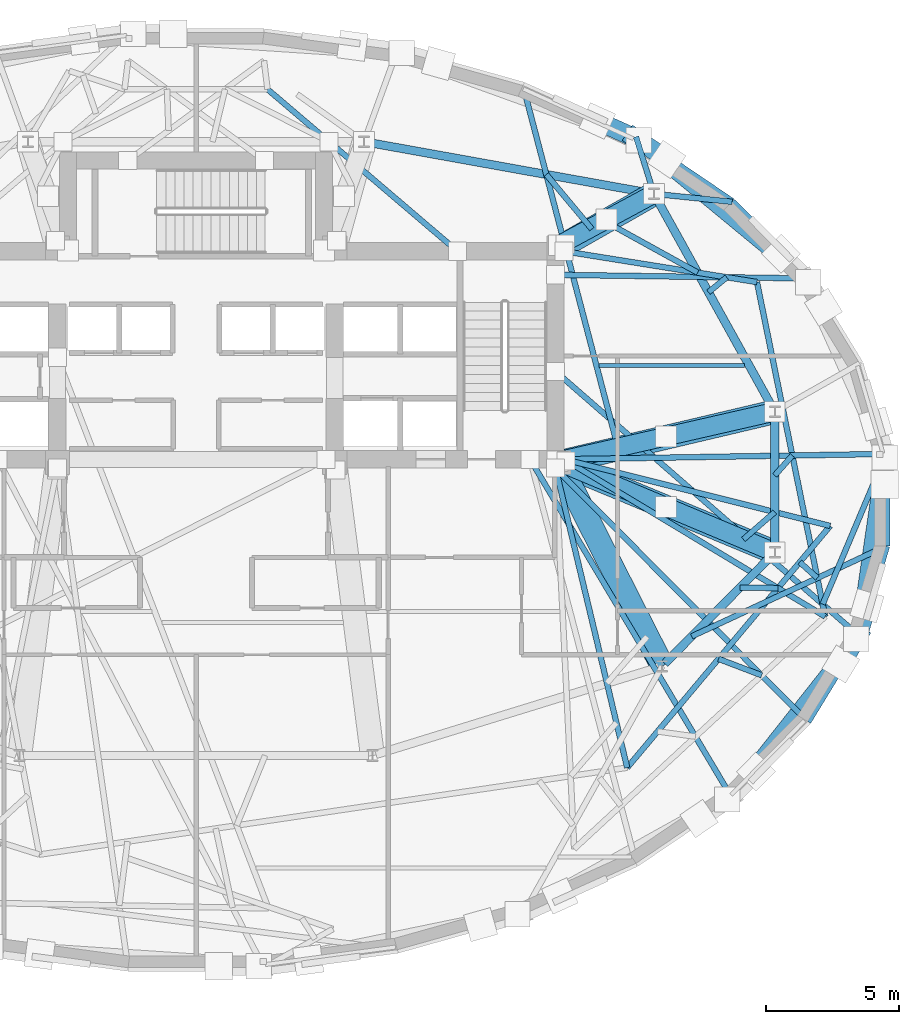
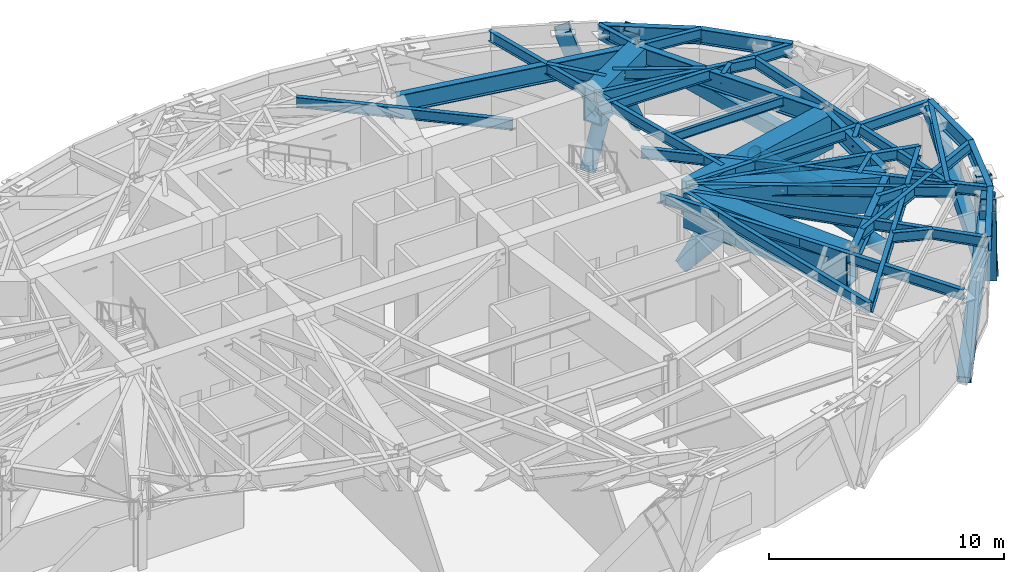
# One storey, part 4 of 13: 39 beams, 13 members.
"""IFC4 building model written with IfcOpenShell, lengths in metres."""

from ifc_helpers import new_model, si_unit, direction, frame, origin, origin_2d, place, context, subcontext, project, spatial, hollow_rectangle, hollow_circle, i_section, extrude, material, material_profile, profile_set, type_object, element, save


model = new_model("IFC4")

# Units and contexts
model_context = context("Model", 3, precision=1e-05, world=origin(), true_north=direction((0.0, 1.0)))
body_context = subcontext(model_context, "Body", "Model", "MODEL_VIEW")
ifc_project = project(units=[si_unit("LENGTHUNIT", "METRE"), si_unit("AREAUNIT", "SQUARE_METRE"), si_unit("VOLUMEUNIT", "CUBIC_METRE"), si_unit("PLANEANGLEUNIT", "RADIAN"), si_unit("MASSUNIT", "GRAM", prefix="KILO")], contexts=[model_context])

# Site, building, storey
site_placement = place(None, origin())
site = spatial("IfcSite", under=ifc_project, at=site_placement, CompositionType="ELEMENT")
building_placement = place(site_placement, origin())
building = spatial("IfcBuilding", under=site, at=building_placement, Name="Keldmark Tower", CompositionType="ELEMENT")
storey_placement = place(building_placement, frame((0.0, 0.0, 135.10009765625)))
storey = spatial("IfcBuildingStorey", under=building, at=storey_placement, Name="L36", CompositionType="ELEMENT", Elevation=135.10009765625)

# Members
ifc_material_1 = material(Name="Steel ASTM A572 Grade 50", Category="steel")
ifc_material_profile_1 = material_profile(ifc_material_1, hollow_rectangle(XDim=0.60009765625, YDim=0.60009765625, WallThickness=0.034912109375, at=origin_2d()), Name="BOX600X600X35")
ifc_profile_set_1 = profile_set([ifc_material_profile_1], Name="Steel ASTM A572 Grade 50")
member_type_1 = type_object("IfcMemberType", Name="Belt Truss Diagonal Brace BOX600", PredefinedType="BRACE", material=ifc_profile_set_1)
member_1_placement = place(storey_placement, frame((22.763916015625, 8.392578125, -0.5400390625), z_axis=(-0.671604255957, 0.554100077788, 0.491854477642), x_axis=(-0.636401110122, -0.771358300037, 0.0)))
element("IfcMember", 1, at=member_1_placement, inside=storey, type_object=member_type_1, Name="L36 Perimeter Belt Truss Brace 02", PredefinedType="BRACE", context=body_context, shape_type="SweptSolid", body=[
    extrude(hollow_rectangle(XDim=0.60009765625, YDim=0.60009765625, WallThickness=0.034912109375, at=origin_2d()), origin(), (0.0, 0.0, 1.0), 9.189697265625),
])
member_2_placement = place(storey_placement, frame((20.165283203125, -11.02490234375, -0.5400390625), z_axis=(0.528598004612, 0.670030415284, 0.521194198082), x_axis=(-0.785095494684, 0.61937473651, 0.0)))
element("IfcMember", 2, at=member_2_placement, inside=storey, type_object=member_type_1, Name="L36 Perimeter Belt Truss Brace 15", PredefinedType="BRACE", context=body_context, shape_type="SweptSolid", body=[
    extrude(hollow_rectangle(XDim=0.60009765625, YDim=0.60009765625, WallThickness=0.034912109375, at=origin_2d()), origin(), (0.0, 0.0, 1.0), 8.67236328125),
])
member_3_placement = place(storey_placement, frame((24.86279296875, -4.9619140625, -0.5400390625), z_axis=(0.118745947792, 0.817493251448, 0.563563823999), x_axis=(-0.989614382364, 0.143747605958, 0.0)))
element("IfcMember", 3, at=member_3_placement, inside=storey, type_object=member_type_1, Name="L36 Perimeter Belt Truss Brace 16", PredefinedType="BRACE", context=body_context, shape_type="SweptSolid", body=[
    extrude(hollow_rectangle(XDim=0.60009765625, YDim=0.60009765625, WallThickness=0.034912109375, at=origin_2d()), origin(), (0.0, 0.0, 1.0), 8.0205078125),
])

# Beam
ifc_material_2 = material(Name="Steel ASTM A992 Grade 50", Category="steel")
ifc_material_profile_2 = material_profile(ifc_material_2, i_section(OverallWidth=0.153076171875, OverallDepth=0.455078125, WebThickness=0.008056640625, FlangeThickness=0.01318359375, at=origin_2d()), Name="W18X40")
ifc_profile_set_2 = profile_set([ifc_material_profile_2], Name="Steel ASTM A992 Grade 50")
beam_type_1 = type_object("IfcBeamType", Name="Composite Floor Joist W18X40", PredefinedType="JOIST", material=ifc_profile_set_2)
beam_1_placement = place(storey_placement, frame((15.11083984375, 5.0400390625, 4.052490234375), z_axis=(1.0, 0.0, 0.0), x_axis=(0.0, 1.0, 0.0)))
element("IfcBeam", 4, at=beam_1_placement, inside=storey, type_object=beam_type_1, Name="L36 Composite Floor Joist J11", PredefinedType="JOIST", context=body_context, shape_type="SweptSolid", body=[
    extrude(i_section(OverallWidth=0.153076171875, OverallDepth=0.455078125, WebThickness=0.008056640625, FlangeThickness=0.01318359375, at=origin_2d()), origin(), (0.0, 0.0, 1.0), 5.458984375),
])

# Members
ifc_material_3 = material(Name="Steel ASTM A572 Grade 50", Category="steel")
ifc_material_profile_3 = material_profile(ifc_material_3, hollow_rectangle(XDim=0.699951171875, YDim=0.699951171875, WallThickness=0.044921875, at=origin_2d()), Name="BOX700X700X45")
ifc_profile_set_3 = profile_set([ifc_material_profile_3], Name="Steel ASTM A572 Grade 50")
member_type_2 = type_object("IfcMemberType", Name="Diagrid Zone 2 Brace BOX700X700X45", PredefinedType="BRACE", material=ifc_profile_set_3)
member_4_placement = place(storey_placement, frame((16.44775390625, 13.582275390625, -0.320068359375), z_axis=(0.255123346307, -0.172847233609, 0.951333754264), x_axis=(0.560896502863, 0.82788592999, 0.0)))
element("IfcMember", 5, at=member_4_placement, inside=storey, type_object=member_type_2, Name="L36 Perimeter Diagrid Brace 02B", PredefinedType="BRACE", context=body_context, shape_type="SweptSolid", body=[
    extrude(hollow_rectangle(XDim=0.699951171875, YDim=0.699951171875, WallThickness=0.044921875, at=origin_2d()), origin(), (0.0, 0.0, 1.0), 4.709228515625),
])
member_5_placement = place(storey_placement, frame((16.4560546875, 13.573974609375, -0.320068359375), z_axis=(-0.297968595123, 0.134925288493, 0.944992001472), x_axis=(-0.412497692818, -0.910958645285, 0.0)))
element("IfcMember", 6, at=member_5_placement, inside=storey, type_object=member_type_2, Name="L36 Perimeter Diagrid Brace 03A", PredefinedType="BRACE", context=body_context, shape_type="SweptSolid", body=[
    extrude(hollow_rectangle(XDim=0.699951171875, YDim=0.699951171875, WallThickness=0.044921875, at=origin_2d()), origin(), (0.0, 0.0, 1.0), 4.74072265625),
])
member_6_placement = place(storey_placement, frame((24.827392578125, -5.08642578125, -0.320068359375), z_axis=(-0.139758774799, -0.228748678361, 0.963401020871), x_axis=(0.853335083836, -0.521362862789, 0.0)))
element("IfcMember", 7, at=member_6_placement, inside=storey, type_object=member_type_2, Name="L36 Perimeter Diagrid Brace 15B", PredefinedType="BRACE", context=body_context, shape_type="SweptSolid", body=[
    extrude(hollow_rectangle(XDim=0.699951171875, YDim=0.699951171875, WallThickness=0.044921875, at=origin_2d()), origin(), (0.0, 0.0, 1.0), 4.650146484375),
])
member_7_placement = place(storey_placement, frame((24.822998046875, -5.097412109375, -0.320068359375), z_axis=(0.071577130516, 0.243773364239, 0.967187293793), x_axis=(-0.959494237083, 0.281728253829, 0.0)))
element("IfcMember", 8, at=member_7_placement, inside=storey, type_object=member_type_2, Name="L36 Perimeter Diagrid Brace 16A", PredefinedType="BRACE", context=body_context, shape_type="SweptSolid", body=[
    extrude(hollow_rectangle(XDim=0.699951171875, YDim=0.699951171875, WallThickness=0.044921875, at=origin_2d()), origin(), (0.0, 0.0, 1.0), 4.632080078125),
])

# Beams
ifc_material_4 = material(Name="Steel ASTM A992 Grade 50", Category="steel")
ifc_material_profile_4 = material_profile(ifc_material_4, i_section(OverallWidth=0.31005859375, OverallDepth=0.931884765625, WebThickness=0.02099609375, FlangeThickness=0.034423828125, at=origin_2d()), Name="W36X210")
ifc_profile_set_4 = profile_set([ifc_material_profile_4], Name="Steel ASTM A992 Grade 50")
beam_type_2 = type_object("IfcBeamType", Name="Outrigger Chord Girder W36X210", PredefinedType="BEAM", material=ifc_profile_set_4)
beam_2_placement = place(storey_placement, frame((21.62890625, 3.432373046875, 3.81396484375), z_axis=(-0.484951836703, 0.874540860154, 0.0), x_axis=(-0.874540860154, -0.484951836703, 0.0)))
element("IfcBeam", 9, at=beam_2_placement, inside=storey, type_object=beam_type_2, Name="L36 Floor Ring Girder FG-R01", PredefinedType="BEAM", context=body_context, shape_type="SweptSolid", body=[
    extrude(i_section(OverallWidth=0.31005859375, OverallDepth=0.931884765625, WebThickness=0.02099609375, FlangeThickness=0.034423828125, at=origin_2d()), origin(), (0.0, 0.0, 1.0), 9.060302734375),
])
beam_3_placement = place(storey_placement, frame((17.029296875, 11.503173828125, 3.81396484375), z_axis=(-0.984218266992, 0.176958760505, 0.0), x_axis=(-0.176958760505, -0.984218266992, 0.0)))
element("IfcBeam", 10, at=beam_3_placement, inside=storey, type_object=beam_type_2, Name="L36 Floor Ring Girder FG-R02", PredefinedType="BEAM", context=body_context, shape_type="SweptSolid", body=[
    extrude(i_section(OverallWidth=0.31005859375, OverallDepth=0.931884765625, WebThickness=0.02099609375, FlangeThickness=0.034423828125, at=origin_2d()), origin(), (0.0, 0.0, 1.0), 10.7626953125),
])
beam_4_placement = place(storey_placement, frame((17.57568359375, -6.130126953125, 3.81396484375), z_axis=(0.703425791323, 0.71076870788, 0.0), x_axis=(-0.71076870788, 0.703425791323, 0.0)))
element("IfcBeam", 11, at=beam_4_placement, inside=storey, type_object=beam_type_2, Name="L36 Floor Ring Girder FG-R11", PredefinedType="BEAM", context=body_context, shape_type="SweptSolid", body=[
    extrude(i_section(OverallWidth=0.31005859375, OverallDepth=0.931884765625, WebThickness=0.02099609375, FlangeThickness=0.034423828125, at=origin_2d()), origin(), (0.0, 0.0, 1.0), 5.71875),
])
beam_5_placement = place(storey_placement, frame((21.697021484375, -1.825927734375, 3.81396484375), z_axis=(0.0, 1.0, 0.0), x_axis=(-1.0, 0.0, 0.0)))
element("IfcBeam", 12, at=beam_5_placement, inside=storey, type_object=beam_type_2, Name="L36 Floor Ring Girder FG-R12", PredefinedType="BEAM", context=body_context, shape_type="SweptSolid", body=[
    extrude(i_section(OverallWidth=0.31005859375, OverallDepth=0.931884765625, WebThickness=0.02099609375, FlangeThickness=0.034423828125, at=origin_2d()), origin(), (0.0, 0.0, 1.0), 4.995849609375),
])

# Members
ifc_material_5 = material(Name="Steel ASTM A572 Grade 50", Category="steel")
ifc_material_profile_5 = material_profile(ifc_material_5, hollow_circle(Radius=0.35009765625, WallThickness=0.031982421875, at=origin_2d()), Name="CHS700X32")
ifc_profile_set_5 = profile_set([ifc_material_profile_5], Name="Steel ASTM A572 Grade 50")
member_type_3 = type_object("IfcMemberType", Name="Outrigger Web Strut CHS700X32", PredefinedType="STRUT", material=ifc_profile_set_5)
member_8_placement = place(storey_placement, frame((13.550048828125, 1.449951171875, 0.14990234375), z_axis=(0.718645632328, 0.164068641425, 0.675743987051), x_axis=(-0.222575689749, 0.974915412912, 0.0)))
element("IfcMember", 13, at=member_8_placement, inside=storey, type_object=member_type_3, Name="L36 Core Outrigger Truss Strut 05A", PredefinedType="STRUT", context=body_context, shape_type="SweptSolid", body=[
    extrude(hollow_circle(Radius=0.35009765625, WallThickness=0.031982421875, at=origin_2d()), origin(), (0.0, 0.0, 1.0), 5.66796875),
])
member_9_placement = place(storey_placement, frame((21.697021484375, 3.309814453125, 0.14990234375), z_axis=(-0.718687285135, -0.164058484303, 0.675702153255), x_axis=(0.222550333021, -0.974921201571, 0.0)))
element("IfcMember", 14, at=member_9_placement, inside=storey, type_object=member_type_3, Name="L36 Core Outrigger Truss Strut 05B", PredefinedType="STRUT", context=body_context, shape_type="SweptSolid", body=[
    extrude(hollow_circle(Radius=0.35009765625, WallThickness=0.031982421875, at=origin_2d()), origin(), (0.0, 0.0, 1.0), 5.668212890625),
])
member_10_placement = place(storey_placement, frame((13.550048828125, 1.449951171875, 0.14990234375), z_axis=(0.696732921558, -0.292156768114, 0.655139419408), x_axis=(0.386702413909, 0.922204555984, 0.0)))
element("IfcMember", 15, at=member_10_placement, inside=storey, type_object=member_type_3, Name="L36 Core Outrigger Truss Strut 06A", PredefinedType="STRUT", context=body_context, shape_type="SweptSolid", body=[
    extrude(hollow_circle(Radius=0.35009765625, WallThickness=0.031982421875, at=origin_2d()), origin(), (0.0, 0.0, 1.0), 5.84619140625),
])
member_11_placement = place(storey_placement, frame((21.697021484375, -1.9658203125, 0.14990234375), z_axis=(-0.696784394349, 0.292101572484, 0.655109287939), x_axis=(-0.386615986062, -0.922240792484, 0.0)))
element("IfcMember", 16, at=member_11_placement, inside=storey, type_object=member_type_3, Name="L36 Core Outrigger Truss Strut 06B", PredefinedType="STRUT", context=body_context, shape_type="SweptSolid", body=[
    extrude(hollow_circle(Radius=0.35009765625, WallThickness=0.031982421875, at=origin_2d()), origin(), (0.0, 0.0, 1.0), 5.846435546875),
])
for number, where, z_axis, x_axis, name in (
    (17, (13.60009765625, 9.550048828125, 0.14990234375), (0.411543763932, 0.222475882788, 0.883819105896), (-0.475549777611, 0.879688813737, 0.0), "L36 Core Outrigger Truss Strut 07A"),
    (18, (17.1669921875, 11.478271484375, 0.14990234375), (-0.411543763932, -0.222475882788, 0.883819105896), (0.475549777611, -0.879688813737, 0.0), "L36 Core Outrigger Truss Strut 07B"),
):
    element("IfcMember", number, at=place(storey_placement, frame(where, z_axis=z_axis, x_axis=x_axis)), inside=storey, type_object=member_type_3, Name=name, PredefinedType="STRUT", context=body_context, shape_type="SweptSolid", body=[
        extrude(hollow_circle(Radius=0.35009765625, WallThickness=0.031982421875, at=origin_2d()), origin(), (0.0, 0.0, 1.0), 4.33349609375),
    ])

# Beams
ifc_material_6 = material(Name="Steel ASTM A572 Grade 50", Category="steel")
ifc_material_profile_6 = material_profile(ifc_material_6, hollow_rectangle(XDim=0.89990234375, YDim=1.800048828125, WallThickness=0.074951171875, at=origin_2d()), Name="TBOX1800X900X75")
ifc_profile_set_6 = profile_set([ifc_material_profile_6], Name="Steel ASTM A572 Grade 50")
beam_type_3 = type_object("IfcBeamType", Name="Perimeter Transfer Box Girder 1800x900", PredefinedType="USERDEFINED", material=ifc_profile_set_6)
beam_6_placement = place(storey_placement, frame((21.697021484375, 3.309814453125, 3.3798828125), z_axis=(-0.973294757227, -0.229558958778, 0.0), x_axis=(0.229558958778, -0.973294757227, 0.0)))
element("IfcBeam", 19, at=beam_6_placement, inside=storey, type_object=beam_type_3, Name="L36 Upper Crown Transfer Box Girder UTB-TC-E1", ObjectType="TRANSFER GIRDER", PredefinedType="USERDEFINED", context=body_context, shape_type="SweptSolid", body=[
    extrude(hollow_rectangle(XDim=0.89990234375, YDim=1.800048828125, WallThickness=0.074951171875, at=origin_2d()), origin(), (0.0, 0.0, 1.0), 8.0390625),
])
beam_7_placement = place(storey_placement, frame((17.1669921875, 11.478271484375, 3.3798828125), z_axis=(-0.869282586619, -0.494315470728, 0.0), x_axis=(0.494315470728, -0.869282586619, 0.0)))
element("IfcBeam", 20, at=beam_7_placement, inside=storey, type_object=beam_type_3, Name="L36 Upper Crown Transfer Box Girder UTB-TC-E4", ObjectType="TRANSFER GIRDER", PredefinedType="USERDEFINED", context=body_context, shape_type="SweptSolid", body=[
    extrude(hollow_rectangle(XDim=0.89990234375, YDim=1.800048828125, WallThickness=0.074951171875, at=origin_2d()), origin(), (0.0, 0.0, 1.0), 3.8232421875),
])
beam_8_placement = place(storey_placement, frame((17.477294921875, -6.2294921875, 3.3798828125), z_axis=(-0.453055227468, 0.891482451237, 0.0), x_axis=(-0.891482451237, -0.453055227468, 0.0)))
element("IfcBeam", 21, at=beam_8_placement, inside=storey, type_object=beam_type_3, Name="L36 Upper Crown Transfer Box Girder UTB-TC-E2", ObjectType="TRANSFER GIRDER", PredefinedType="USERDEFINED", context=body_context, shape_type="SweptSolid", body=[
    extrude(hollow_rectangle(XDim=0.89990234375, YDim=1.800048828125, WallThickness=0.074951171875, at=origin_2d()), origin(), (0.0, 0.0, 1.0), 8.2783203125),
])
beam_9_placement = place(storey_placement, frame((21.697021484375, -1.9658203125, 3.3798828125), z_axis=(-0.923402483479, 0.383833106317, 0.0), x_axis=(-0.383833106317, -0.923402483479, 0.0)))
element("IfcBeam", 22, at=beam_9_placement, inside=storey, type_object=beam_type_3, Name="L36 Upper Crown Transfer Box Girder UTB-TC-E5", ObjectType="TRANSFER GIRDER", PredefinedType="USERDEFINED", context=body_context, shape_type="SweptSolid", body=[
    extrude(hollow_rectangle(XDim=0.89990234375, YDim=1.800048828125, WallThickness=0.074951171875, at=origin_2d()), origin(), (0.0, 0.0, 1.0), 8.48876953125),
])
ifc_material_7 = material(Name="Steel ASTM A992 Grade 50", Category="steel")
ifc_material_profile_7 = material_profile(ifc_material_7, i_section(OverallWidth=0.2099609375, OverallDepth=0.537109375, WebThickness=0.010986328125, FlangeThickness=0.017333984375, at=origin_2d()), Name="W21X68")
ifc_profile_set_7 = profile_set([ifc_material_profile_7], Name="Steel ASTM A992 Grade 50")
beam_type_4 = type_object("IfcBeamType", Name="Radial Tie Girder W21X68", PredefinedType="BEAM", material=ifc_profile_set_7)
beam_10_placement = place(storey_placement, frame((9.8037109375, 9.324951171875, 4.011474609375), z_axis=(-0.760995251501, 0.648757448661, 0.0), x_axis=(-0.648757448661, -0.760995251501, 0.0)))
element("IfcBeam", 23, at=beam_10_placement, inside=storey, type_object=beam_type_4, Name="L36 Sub-Ring Step Girder STP1-M03", PredefinedType="BEAM", context=body_context, shape_type="SweptSolid", body=[
    extrude(i_section(OverallWidth=0.2099609375, OverallDepth=0.537109375, WebThickness=0.010986328125, FlangeThickness=0.017333984375, at=origin_2d()), origin(), (0.0, 0.0, 1.0), 9.362060546875),
])
beam_11_placement = place(storey_placement, frame((13.47509765625, 1.199951171875, 4.011474609375), z_axis=(0.232712703301, -0.972545524756, 0.0), x_axis=(0.972545524756, 0.232712703301, 0.0)))
element("IfcBeam", 24, at=beam_11_placement, inside=storey, type_object=beam_type_4, Name="L36 Sub-Ring Step Girder STP1-M11", PredefinedType="BEAM", context=body_context, shape_type="SweptSolid", body=[
    extrude(i_section(OverallWidth=0.2099609375, OverallDepth=0.537109375, WebThickness=0.010986328125, FlangeThickness=0.017333984375, at=origin_2d()), origin(), (0.0, 0.0, 1.0), 11.552734375),
])
beam_12_placement = place(storey_placement, frame((20.52099609375, -1.47705078125, 4.011474609375), z_axis=(0.753419022227, 0.657540703642, 0.0), x_axis=(-0.657540703642, 0.753419022227, 0.0)))
element("IfcBeam", 25, at=beam_12_placement, inside=storey, type_object=beam_type_4, Name="L36 Framing Pin Header PH-007", PredefinedType="BEAM", context=body_context, shape_type="SweptSolid", body=[
    extrude(i_section(OverallWidth=0.2099609375, OverallDepth=0.537109375, WebThickness=0.010986328125, FlangeThickness=0.017333984375, at=origin_2d()), origin(), (0.0, 0.0, 1.0), 1.56103515625),
])
beam_13_placement = place(storey_placement, frame((13.800048828125, 1.52490234375, 4.011474609375), z_axis=(0.970104777508, -0.242686465744, 0.0), x_axis=(0.242686465744, 0.970104777508, 0.0)))
element("IfcBeam", 26, at=beam_13_placement, inside=storey, type_object=beam_type_4, Name="L36 Sub-Ring Step Girder STP1-M12", PredefinedType="BEAM", context=body_context, shape_type="SweptSolid", body=[
    extrude(i_section(OverallWidth=0.2099609375, OverallDepth=0.537109375, WebThickness=0.010986328125, FlangeThickness=0.017333984375, at=origin_2d()), origin(), (0.0, 0.0, 1.0), 10.2822265625),
])
beam_14_placement = place(storey_placement, frame((16.16357421875, -10.03564453125, 4.011474609375), z_axis=(0.643022287084, 0.76584746413, 0.0), x_axis=(-0.76584746413, 0.643022287084, 0.0)))
element("IfcBeam", 27, at=beam_14_placement, inside=storey, type_object=beam_type_4, Name="L36 Perimeter Collector Ring Beam CRG1-M11", PredefinedType="BEAM", context=body_context, shape_type="SweptSolid", body=[
    extrude(i_section(OverallWidth=0.2099609375, OverallDepth=0.537109375, WebThickness=0.010986328125, FlangeThickness=0.017333984375, at=origin_2d()), origin(), (0.0, 0.0, 1.0), 11.8369140625),
])
beam_15_placement = place(storey_placement, frame((15.339111328125, 10.43896484375, 4.011474609375), z_axis=(0.875338369412, -0.483510846864, 0.0), x_axis=(0.483510846864, 0.875338369412, 0.0)))
element("IfcBeam", 28, at=beam_15_placement, inside=storey, type_object=beam_type_4, Name="L36 Framing Pin Header PH-008", PredefinedType="BEAM", context=body_context, shape_type="SweptSolid", body=[
    extrude(i_section(OverallWidth=0.2099609375, OverallDepth=0.537109375, WebThickness=0.010986328125, FlangeThickness=0.017333984375, at=origin_2d()), origin(), (0.0, 0.0, 1.0), 3.959716796875),
])
beam_16_placement = place(storey_placement, frame((13.800048828125, 9.324951171875, 4.011474609375), z_axis=(0.987449786486, -0.157933274418, 0.0), x_axis=(0.157933274418, 0.987449786486, 0.0)))
element("IfcBeam", 29, at=beam_16_placement, inside=storey, type_object=beam_type_4, Name="L36 Sub-Ring Step Girder STP2-M01", PredefinedType="BEAM", context=body_context, shape_type="SweptSolid", body=[
    extrude(i_section(OverallWidth=0.2099609375, OverallDepth=0.537109375, WebThickness=0.010986328125, FlangeThickness=0.017333984375, at=origin_2d()), origin(), (0.0, 0.0, 1.0), 7.321044921875),
])
beam_17_placement = place(storey_placement, frame((20.3916015625, -3.284912109375, 4.011474609375), z_axis=(0.999917404383, -0.012852408797, 0.0), x_axis=(0.012852408797, 0.999917404383, 0.0)))
element("IfcBeam", 30, at=beam_17_placement, inside=storey, type_object=beam_type_4, Name="L36 Framing Pin Header PH-014", PredefinedType="BEAM", context=body_context, shape_type="SweptSolid", body=[
    extrude(i_section(OverallWidth=0.2099609375, OverallDepth=0.537109375, WebThickness=0.010986328125, FlangeThickness=0.017333984375, at=origin_2d()), origin(), (0.0, 0.0, 1.0), 1.424560546875),
])
beam_18_placement = place(storey_placement, frame((13.800048828125, 1.52490234375, 4.011474609375), z_axis=(0.856614993149, -0.515956154641, 0.0), x_axis=(0.515956154641, 0.856614993149, 0.0)))
element("IfcBeam", 31, at=beam_18_placement, inside=storey, type_object=beam_type_4, Name="L36 Sub-Ring Step Girder STP2-M12", PredefinedType="BEAM", context=body_context, shape_type="SweptSolid", body=[
    extrude(i_section(OverallWidth=0.2099609375, OverallDepth=0.537109375, WebThickness=0.010986328125, FlangeThickness=0.017333984375, at=origin_2d()), origin(), (0.0, 0.0, 1.0), 11.42578125),
])
beam_19_placement = place(storey_placement, frame((23.587646484375, -4.370361328125, 4.011474609375), z_axis=(-0.199911795809, 0.979813897583, 0.0), x_axis=(-0.979813897583, -0.199911795809, 0.0)))
element("IfcBeam", 32, at=beam_19_placement, inside=storey, type_object=beam_type_4, Name="L36 Perimeter Collector Ring Beam CRG2-M12", PredefinedType="BEAM", context=body_context, shape_type="SweptSolid", body=[
    extrude(i_section(OverallWidth=0.2099609375, OverallDepth=0.537109375, WebThickness=0.010986328125, FlangeThickness=0.017333984375, at=origin_2d()), origin(), (0.0, 0.0, 1.0), 12.79736328125),
])
beam_20_placement = place(storey_placement, frame((21.697021484375, 0.921875, 4.011474609375), z_axis=(0.661710861152, 0.749759118807, 0.0), x_axis=(-0.749759118807, 0.661710861152, 0.0)))
element("IfcBeam", 33, at=beam_20_placement, inside=storey, type_object=beam_type_4, Name="L36 Framing Pin Header PH-015", PredefinedType="BEAM", context=body_context, shape_type="SweptSolid", body=[
    extrude(i_section(OverallWidth=0.2099609375, OverallDepth=0.537109375, WebThickness=0.010986328125, FlangeThickness=0.017333984375, at=origin_2d()), origin(), (0.0, 0.0, 1.0), 0.995361328125),
])
beam_21_placement = place(storey_placement, frame((13.800048828125, 1.52490234375, 4.011474609375), z_axis=(0.999859890915, 0.016739131984, 0.0), x_axis=(-0.016739131984, 0.999859890915, 0.0)))
element("IfcBeam", 34, at=beam_21_placement, inside=storey, type_object=beam_type_4, Name="L36 Perimeter Radial Tie Girder RT-01", PredefinedType="BEAM", context=body_context, shape_type="SweptSolid", body=[
    extrude(i_section(OverallWidth=0.2099609375, OverallDepth=0.537109375, WebThickness=0.010986328125, FlangeThickness=0.017333984375, at=origin_2d()), origin(), (0.0, 0.0, 1.0), 12.076416015625),
])
beam_22_placement = place(storey_placement, frame((19.21240234375, 7.790283203125, 4.011474609375), z_axis=(0.773587616568, 0.633689355673, 0.0), x_axis=(-0.633689355673, 0.773587616568, 0.0)))
element("IfcBeam", 35, at=beam_22_placement, inside=storey, type_object=beam_type_4, Name="L36 Framing Pin Header PH-016", PredefinedType="BEAM", context=body_context, shape_type="SweptSolid", body=[
    extrude(i_section(OverallWidth=0.2099609375, OverallDepth=0.537109375, WebThickness=0.010986328125, FlangeThickness=0.017333984375, at=origin_2d()), origin(), (0.0, 0.0, 1.0), 0.883056640625),
])
beam_23_placement = place(storey_placement, frame((13.47509765625, 8.44287109375, 4.011474609375), z_axis=(0.999895094159, -0.014484497839, 0.0), x_axis=(0.014484497839, 0.999895094159, 0.0)))
element("IfcBeam", 36, at=beam_23_placement, inside=storey, type_object=beam_type_4, Name="L36 Perimeter Radial Tie Girder RT-03", PredefinedType="BEAM", context=body_context, shape_type="SweptSolid", body=[
    extrude(i_section(OverallWidth=0.2099609375, OverallDepth=0.537109375, WebThickness=0.010986328125, FlangeThickness=0.017333984375, at=origin_2d()), origin(), (0.0, 0.0, 1.0), 9.455810546875),
])
beam_24_placement = place(storey_placement, frame((17.1669921875, 11.478271484375, 4.011474609375), z_axis=(0.994793936975, -0.101906932829, 0.0), x_axis=(0.101906932829, 0.994793936975, 0.0)))
element("IfcBeam", 37, at=beam_24_placement, inside=storey, type_object=beam_type_4, Name="L36 Perimeter Column Bracket RT-04", PredefinedType="BEAM", context=body_context, shape_type="SweptSolid", body=[
    extrude(i_section(OverallWidth=0.2099609375, OverallDepth=0.537109375, WebThickness=0.010986328125, FlangeThickness=0.017333984375, at=origin_2d()), origin(), (0.0, 0.0, 1.0), 2.94677734375),
])
beam_25_placement = place(storey_placement, frame((17.1669921875, 11.478271484375, 4.011474609375), z_axis=(-0.299673911383, 0.954041690303, 0.0), x_axis=(-0.954041690303, -0.299673911383, 0.0)))
element("IfcBeam", 38, at=beam_25_placement, inside=storey, type_object=beam_type_4, Name="L36 Perimeter Column Bracket RT-05", PredefinedType="BEAM", context=body_context, shape_type="SweptSolid", body=[
    extrude(i_section(OverallWidth=0.2099609375, OverallDepth=0.537109375, WebThickness=0.010986328125, FlangeThickness=0.017333984375, at=origin_2d()), origin(), (0.0, 0.0, 1.0), 2.245361328125),
])
beam_26_placement = place(storey_placement, frame((14.840576171875, 10.155517578125, 4.011474609375), z_axis=(-0.640634384202, 0.767846069065, 0.0), x_axis=(-0.767846069065, -0.640634384202, 0.0)))
element("IfcBeam", 39, at=beam_26_placement, inside=storey, type_object=beam_type_4, Name="L36 Framing Pin Header PH-017", PredefinedType="BEAM", context=body_context, shape_type="SweptSolid", body=[
    extrude(i_section(OverallWidth=0.2099609375, OverallDepth=0.537109375, WebThickness=0.010986328125, FlangeThickness=0.017333984375, at=origin_2d()), origin(), (0.0, 0.0, 1.0), 2.667724609375),
])
beam_27_placement = place(storey_placement, frame((15.82861328125, 1.92578125, 4.011474609375), z_axis=(-0.253808468075, 0.967254496776, 0.0), x_axis=(-0.967254496776, -0.253808468075, 0.0)))
element("IfcBeam", 40, at=beam_27_placement, inside=storey, type_object=beam_type_4, Name="L36 Perimeter Radial Tie Girder RT-06", PredefinedType="BEAM", context=body_context, shape_type="SweptSolid", body=[
    extrude(i_section(OverallWidth=0.2099609375, OverallDepth=0.537109375, WebThickness=0.010986328125, FlangeThickness=0.017333984375, at=origin_2d()), origin(), (0.0, 0.0, 1.0), 14.07470703125),
])
beam_28_placement = place(storey_placement, frame((12.52490234375, 1.52490234375, 4.011474609375), z_axis=(0.512095224833, -0.858928681966, 0.0), x_axis=(0.858928681966, 0.512095224833, 0.0)))
element("IfcBeam", 41, at=beam_28_placement, inside=storey, type_object=beam_type_4, Name="L36 Perimeter Radial Tie Girder RT-29", PredefinedType="BEAM", context=body_context, shape_type="SweptSolid", body=[
    extrude(i_section(OverallWidth=0.2099609375, OverallDepth=0.537109375, WebThickness=0.010986328125, FlangeThickness=0.017333984375, at=origin_2d()), origin(), (0.0, 0.0, 1.0), 14.789306640625),
])
beam_29_placement = place(storey_placement, frame((19.588623046875, -5.956298828125, 4.011474609375), z_axis=(0.934344736255, -0.35637047273, 0.0), x_axis=(0.35637047273, 0.934344736255, 0.0)))
element("IfcBeam", 42, at=beam_29_placement, inside=storey, type_object=beam_type_4, Name="L36 Framing Pin Header PH-036", PredefinedType="BEAM", context=body_context, shape_type="SweptSolid", body=[
    extrude(i_section(OverallWidth=0.2099609375, OverallDepth=0.537109375, WebThickness=0.010986328125, FlangeThickness=0.017333984375, at=origin_2d()), origin(), (0.0, 0.0, 1.0), 1.73193359375),
])
beam_30_placement = place(storey_placement, frame((13.47509765625, 1.199951171875, 4.011474609375), z_axis=(0.705201322543, -0.709007118923, 0.0), x_axis=(0.709007118923, 0.705201322543, 0.0)))
element("IfcBeam", 43, at=beam_30_placement, inside=storey, type_object=beam_type_4, Name="L36 Perimeter Radial Tie Girder RT-30", PredefinedType="BEAM", context=body_context, shape_type="SweptSolid", body=[
    extrude(i_section(OverallWidth=0.2099609375, OverallDepth=0.537109375, WebThickness=0.010986328125, FlangeThickness=0.017333984375, at=origin_2d()), origin(), (0.0, 0.0, 1.0), 13.4072265625),
])
beam_31_placement = place(storey_placement, frame((25.874755859375, 1.72705078125, 4.011474609375), z_axis=(-0.389448552127, -0.921048220913, 0.0), x_axis=(0.921048220913, -0.389448552127, 0.0)))
element("IfcBeam", 44, at=beam_31_placement, inside=storey, type_object=beam_type_4, Name="L36 Framing Pin Header PH-037", PredefinedType="BEAM", context=body_context, shape_type="SweptSolid", body=[
    extrude(i_section(OverallWidth=0.2099609375, OverallDepth=0.537109375, WebThickness=0.010986328125, FlangeThickness=0.017333984375, at=origin_2d()), origin(), (0.0, 0.0, 1.0), 6.115966796875),
])
beam_32_placement = place(storey_placement, frame((13.47509765625, 4.8212890625, 4.011474609375), z_axis=(0.754002685225, -0.656871334945, 0.0), x_axis=(0.656871334945, 0.754002685225, 0.0)))
element("IfcBeam", 45, at=beam_32_placement, inside=storey, type_object=beam_type_4, Name="L36 Perimeter Radial Tie Girder RT-31", PredefinedType="BEAM", context=body_context, shape_type="SweptSolid", body=[
    extrude(i_section(OverallWidth=0.2099609375, OverallDepth=0.537109375, WebThickness=0.010986328125, FlangeThickness=0.017333984375, at=origin_2d()), origin(), (0.0, 0.0, 1.0), 15.126220703125),
])
beam_33_placement = place(storey_placement, frame((22.633056640625, -2.330078125, 4.011474609375), z_axis=(0.742159914027, -0.670222845039, 0.0), x_axis=(0.670222845039, 0.742159914027, 0.0)))
element("IfcBeam", 46, at=beam_33_placement, inside=storey, type_object=beam_type_4, Name="L36 Framing Pin Header PH-038", PredefinedType="BEAM", context=body_context, shape_type="SweptSolid", body=[
    extrude(i_section(OverallWidth=0.2099609375, OverallDepth=0.537109375, WebThickness=0.010986328125, FlangeThickness=0.017333984375, at=origin_2d()), origin(), (0.0, 0.0, 1.0), 0.88916015625),
])
beam_34_placement = place(storey_placement, frame((18.58154296875, -5.114013671875, 4.011474609375), z_axis=(0.906969618934, 0.421196047383, 0.0), x_axis=(-0.421196047383, 0.906969618934, 0.0)))
element("IfcBeam", 47, at=beam_34_placement, inside=storey, type_object=beam_type_4, Name="L36 Perimeter Radial Tie Girder RT-32", PredefinedType="BEAM", context=body_context, shape_type="SweptSolid", body=[
    extrude(i_section(OverallWidth=0.2099609375, OverallDepth=0.537109375, WebThickness=0.010986328125, FlangeThickness=0.017333984375, at=origin_2d()), origin(), (0.0, 0.0, 1.0), 8.041259765625),
])
ifc_material_8 = material(Name="Steel ASTM A992 Grade 50", Category="steel")
ifc_material_profile_8 = material_profile(ifc_material_8, i_section(OverallWidth=0.26806640625, OverallDepth=0.77001953125, WebThickness=0.015625, FlangeThickness=0.025390625, at=origin_2d()), Name="W30X132")
ifc_profile_set_8 = profile_set([ifc_material_profile_8], Name="Steel ASTM A992 Grade 50")
beam_type_5 = type_object("IfcBeamType", Name="Spandrel Ring Beam W30X132", PredefinedType="SPANDREL", material=ifc_profile_set_8)
beam_35_placement = place(storey_placement, frame((22.929931640625, 8.305908203125, 3.89501953125), z_axis=(-0.702064671311, 0.712113191352, 0.0), x_axis=(-0.712113191352, -0.702064671311, 0.0)))
element("IfcBeam", 48, at=beam_35_placement, inside=storey, type_object=beam_type_5, Name="L36 Perimeter Spandrel Ring Beam SRB-03", PredefinedType="SPANDREL", context=body_context, shape_type="SweptSolid", body=[
    extrude(i_section(OverallWidth=0.26806640625, OverallDepth=0.77001953125, WebThickness=0.015625, FlangeThickness=0.025390625, at=origin_2d()), origin(), (0.0, 0.0, 1.0), 4.033203125),
])
beam_36_placement = place(storey_placement, frame((20.098388671875, 11.177978515625, 3.89501953125), z_axis=(-0.827833848723, 0.560973367379, 0.0), x_axis=(-0.560973367379, -0.827833848723, 0.0)))
element("IfcBeam", 49, at=beam_36_placement, inside=storey, type_object=beam_type_5, Name="L36 Perimeter Spandrel Ring Beam SRB-04", PredefinedType="SPANDREL", context=body_context, shape_type="SweptSolid", body=[
    extrude(i_section(OverallWidth=0.26806640625, OverallDepth=0.77001953125, WebThickness=0.015625, FlangeThickness=0.025390625, at=origin_2d()), origin(), (0.0, 0.0, 1.0), 4.353759765625),
])
beam_37_placement = place(storey_placement, frame((22.929931640625, -8.305908203125, 3.89501953125), z_axis=(0.521505457928, 0.853247945999, 0.0), x_axis=(-0.853247945999, 0.521505457928, 0.0)))
element("IfcBeam", 50, at=beam_37_placement, inside=storey, type_object=beam_type_5, Name="L36 Perimeter Spandrel Ring Beam SRB-30", PredefinedType="SPANDREL", context=body_context, shape_type="SweptSolid", body=[
    extrude(i_section(OverallWidth=0.26806640625, OverallDepth=0.77001953125, WebThickness=0.015625, FlangeThickness=0.025390625, at=origin_2d()), origin(), (0.0, 0.0, 1.0), 3.739990234375),
])
beam_38_placement = place(storey_placement, frame((24.88037109375, -5.11474609375, 3.89501953125), z_axis=(0.281645899487, 0.959518414259, 0.0), x_axis=(-0.959518414259, 0.281645899487, 0.0)))
element("IfcBeam", 51, at=beam_38_placement, inside=storey, type_object=beam_type_5, Name="L36 Perimeter Spandrel Ring Beam SRB-31", PredefinedType="SPANDREL", context=body_context, shape_type="SweptSolid", body=[
    extrude(i_section(OverallWidth=0.26806640625, OverallDepth=0.77001953125, WebThickness=0.015625, FlangeThickness=0.025390625, at=origin_2d()), origin(), (0.0, 0.0, 1.0), 3.530517578125),
])
beam_39_placement = place(storey_placement, frame((25.874755859375, -1.72705078125, 3.89501953125), z_axis=(0.0, 1.0, 0.0), x_axis=(-1.0, 0.0, 0.0)))
element("IfcBeam", 52, at=beam_39_placement, inside=storey, type_object=beam_type_5, Name="L36 Perimeter Spandrel Ring Beam SRB-32", PredefinedType="SPANDREL", context=body_context, shape_type="SweptSolid", body=[
    extrude(i_section(OverallWidth=0.26806640625, OverallDepth=0.77001953125, WebThickness=0.015625, FlangeThickness=0.025390625, at=origin_2d()), origin(), (0.0, 0.0, 1.0), 3.4541015625),
])

save(model, "model.ifc")
